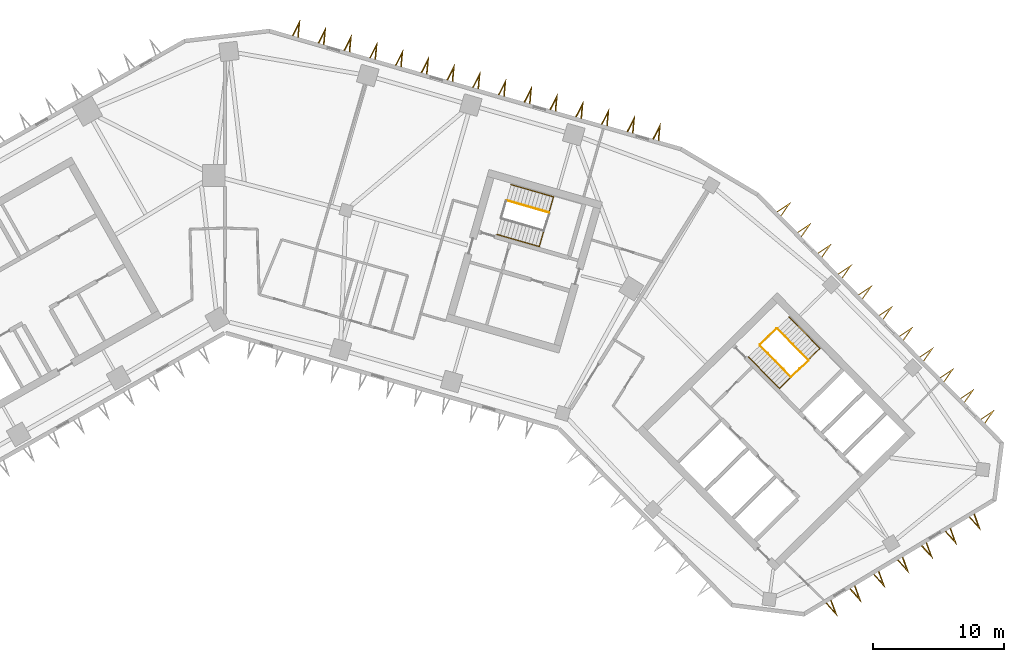
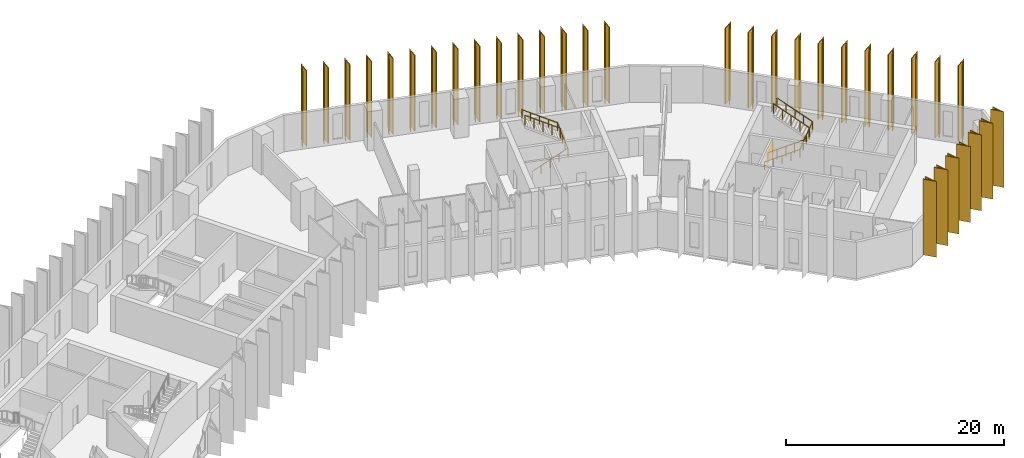
# One storey, part 11 of 11: 33 shading devices, 6 railings.
"""IFC4 building model written with IfcOpenShell, lengths in metres."""

from ifc_helpers import new_model, si_unit, direction, frame, origin, origin_2d, place, context, subcontext, project, spatial, polyline, circle, outline, extrude, material, type_object, element, save


model = new_model("IFC4")

# Units and contexts
model_context = context("Model", 3, precision=1e-05, world=origin(), true_north=direction((0.0, 1.0)))
body_context = subcontext(model_context, "Body", "Model", "MODEL_VIEW")
ifc_project = project(units=[si_unit("LENGTHUNIT", "METRE"), si_unit("AREAUNIT", "SQUARE_METRE"), si_unit("VOLUMEUNIT", "CUBIC_METRE"), si_unit("PLANEANGLEUNIT", "RADIAN"), si_unit("MASSUNIT", "GRAM", prefix="KILO")], contexts=[model_context])

# Site, building, storey
site_placement = place(None, origin())
site = spatial("IfcSite", under=ifc_project, at=site_placement, CompositionType="ELEMENT")
building_placement = place(site_placement, origin())
building = spatial("IfcBuilding", under=site, at=building_placement, Name="Binnacle Exchange Tower", CompositionType="ELEMENT")
storey_placement = place(building_placement, frame((0.0, 0.0, 114.699951171875)))
storey = spatial("IfcBuildingStorey", under=building, at=storey_placement, Name="L23", CompositionType="ELEMENT", Elevation=114.699951171875)

# Railings
ifc_material_1 = material(Name="Steel guard rail", Category="steel")
railing_type_1 = type_object("IfcRailingType", Name="STAIR GUARD 1100", PredefinedType="GUARDRAIL", material=ifc_material_1)
railing_1_placement = place(storey_placement, frame((40.822509765625, 47.046875, 0.169189453125)))
element("IfcRailing", 1, at=railing_1_placement, inside=storey, type_object=railing_type_1, Name="L23 STB1 stair guard 1", PredefinedType="GUARDRAIL", context=body_context, shape_type="SweptSolid", body=[
    extrude(circle(Radius=0.02392578125, at=origin_2d()), frame((0.0, 0.0, 1.076171875), z_axis=(0.599850224077, -0.610421915772, 0.51726665601), x_axis=(0.713256128111, 0.700903485305, 0.0)), (0.0, 0.0, 1.0), 3.926025390625),
    extrude(circle(Radius=0.02392578125, at=origin_2d()), frame((2.35498046875, -2.396484375, 3.10693359375), z_axis=(0.732527851538, 0.680737061369, 0.0), x_axis=(-0.680737061369, 0.732527851538, 0.0)), (0.0, 0.0, 1.0), 1.80078125),
    extrude(circle(Radius=0.02099609375, at=origin_2d()), origin(), (0.0, 0.0, 1.0), 1.052001953125),
    extrude(circle(Radius=0.02099609375, at=origin_2d()), frame((0.5888671875, -0.59912109375, 0.5078125)), (0.0, 0.0, 1.0), 1.052001953125),
    extrude(circle(Radius=0.02099609375, at=origin_2d()), frame((1.177490234375, -1.1982421875, 1.015380859375)), (0.0, 0.0, 1.0), 1.052001953125),
    extrude(circle(Radius=0.02099609375, at=origin_2d()), frame((1.76611328125, -1.79736328125, 1.52294921875)), (0.0, 0.0, 1.0), 1.052001953125),
    extrude(circle(Radius=0.02099609375, at=origin_2d()), frame((2.35498046875, -2.396484375, 2.03076171875)), (0.0, 0.0, 1.0), 1.052001953125),
    extrude(circle(Radius=0.02099609375, at=origin_2d()), frame((3.0146484375, -1.78369140625, 2.03076171875)), (0.0, 0.0, 1.0), 1.052001953125),
    extrude(circle(Radius=0.02099609375, at=origin_2d()), frame((3.674072265625, -1.170654296875, 2.03076171875)), (0.0, 0.0, 1.0), 1.052001953125),
])
railing_2_placement = place(storey_placement, frame((44.4970703125, 45.947021484375, 2.369384765625)))
element("IfcRailing", 2, at=railing_2_placement, inside=storey, type_object=railing_type_1, Name="L23 STB1 stair guard 2", PredefinedType="GUARDRAIL", context=body_context, shape_type="SweptSolid", body=[
    extrude(circle(Radius=0.02392578125, at=origin_2d()), frame((0.0, 0.0, 1.076171875), z_axis=(-0.599850224077, 0.610421915772, 0.51726665601), x_axis=(-0.713256128111, -0.700903485305, 0.0)), (0.0, 0.0, 1.0), 3.926025390625),
    extrude(circle(Radius=0.02099609375, at=origin_2d()), origin(), (0.0, 0.0, 1.0), 1.052001953125),
    extrude(circle(Radius=0.02099609375, at=origin_2d()), frame((-0.5888671875, 0.59912109375, 0.5078125)), (0.0, 0.0, 1.0), 1.052001953125),
    extrude(circle(Radius=0.02099609375, at=origin_2d()), frame((-1.177490234375, 1.1982421875, 1.015380859375)), (0.0, 0.0, 1.0), 1.052001953125),
    extrude(circle(Radius=0.02099609375, at=origin_2d()), frame((-1.76611328125, 1.79736328125, 1.52294921875)), (0.0, 0.0, 1.0), 1.052001953125),
    extrude(circle(Radius=0.02099609375, at=origin_2d()), frame((-2.35498046875, 2.396484375, 2.03076171875)), (0.0, 0.0, 1.0), 1.052001953125),
])
railing_3_placement = place(storey_placement, frame((40.8232421875, 47.117431640625, 0.0)))
element("IfcRailing", 3, at=railing_3_placement, inside=storey, type_object=railing_type_1, Name="L23 STB1 stair guard 3", PredefinedType="GUARDRAIL", context=body_context, shape_type="SweptSolid", body=[
    extrude(circle(Radius=0.02392578125, at=origin_2d()), frame((0.0, 0.0, 1.076171875), z_axis=(0.713218950569, 0.700941316052, 0.0), x_axis=(-0.700941316052, 0.713218950569, 0.0)), (0.0, 0.0, 1.0), 1.75),
    extrude(circle(Radius=0.02099609375, at=origin_2d()), origin(), (0.0, 0.0, 1.0), 1.052001953125),
    extrude(circle(Radius=0.02099609375, at=origin_2d()), frame((0.6240234375, 0.61328125, 0.0)), (0.0, 0.0, 1.0), 1.052001953125),
    extrude(circle(Radius=0.02099609375, at=origin_2d()), frame((1.248046875, 1.2265625, 0.0)), (0.0, 0.0, 1.0), 1.052001953125),
])
railing_4_placement = place(storey_placement, frame((24.716064453125, 57.177978515625, 2.369384765625)))
element("IfcRailing", 4, at=railing_4_placement, inside=storey, type_object=railing_type_1, Name="L23 STD1 stair guard 2", PredefinedType="GUARDRAIL", context=body_context, shape_type="SweptSolid", body=[
    extrude(circle(Radius=0.02392578125, at=origin_2d()), frame((0.0, 0.0, 1.076171875), z_axis=(-0.82266146106, 0.235934506256, 0.517264950721), x_axis=(-0.27568068152, -0.961249271436, 0.0)), (0.0, 0.0, 1.0), 3.926025390625),
    extrude(circle(Radius=0.02099609375, at=origin_2d()), origin(), (0.0, 0.0, 1.0), 1.052001953125),
    extrude(circle(Radius=0.02099609375, at=origin_2d()), frame((-0.807373046875, 0.2314453125, 0.5078125)), (0.0, 0.0, 1.0), 1.052001953125),
    extrude(circle(Radius=0.02099609375, at=origin_2d()), frame((-1.61474609375, 0.463134765625, 1.015380859375)), (0.0, 0.0, 1.0), 1.052001953125),
    extrude(circle(Radius=0.02099609375, at=origin_2d()), frame((-2.42236328125, 0.69482421875, 1.52294921875)), (0.0, 0.0, 1.0), 1.052001953125),
    extrude(circle(Radius=0.02099609375, at=origin_2d()), frame((-3.229736328125, 0.92626953125, 2.03076171875)), (0.0, 0.0, 1.0), 1.052001953125),
])
ifc_material_2 = material(Name="Steel handrail", Category="steel")
railing_type_2 = type_object("IfcRailingType", Name="STAIR HANDRAIL 900", PredefinedType="HANDRAIL", material=ifc_material_2)
railing_5_placement = place(storey_placement, frame((39.930908203125, 46.170654296875, 0.169189453125)))
element("IfcRailing", 5, at=railing_5_placement, inside=storey, type_object=railing_type_2, Name="L23 STB1 stair handrail 1", PredefinedType="HANDRAIL", context=body_context, shape_type="SweptSolid", body=[
    extrude(circle(Radius=0.02392578125, at=origin_2d()), frame((0.0, 0.0, 0.8759765625), z_axis=(0.599890032335, -0.610399145579, 0.51724736073), x_axis=(0.713219803244, 0.700940448441, 0.0)), (0.0, 0.0, 1.0), 3.926025390625),
    extrude(circle(Radius=0.02392578125, at=origin_2d()), frame((2.355224609375, -2.396484375, 2.90673828125), z_axis=(0.712713255438, 0.700374813811, 0.038922174951), x_axis=(-0.700905928746, 0.713253726978, 0.0)), (0.0, 0.0, 1.0), 4.35302734375),
    extrude(circle(Radius=0.02392578125, at=origin_2d()), frame((5.457763671875, 0.65234375, 3.076171875), z_axis=(-0.599827453926, 0.610460928384, 0.517247020709), x_axis=(-0.713291821981, -0.70086716052, 0.0)), (0.0, 0.0, 1.0), 3.926025390625),
    extrude(circle(Radius=0.02099609375, at=origin_2d()), origin(), (0.0, 0.0, 1.0), 0.851806640625),
    extrude(circle(Radius=0.02099609375, at=origin_2d()), frame((0.5888671875, -0.59912109375, 0.5078125)), (0.0, 0.0, 1.0), 0.851806640625),
    extrude(circle(Radius=0.02099609375, at=origin_2d()), frame((1.177734375, -1.1982421875, 1.015380859375)), (0.0, 0.0, 1.0), 0.851806640625),
    extrude(circle(Radius=0.02099609375, at=origin_2d()), frame((1.766357421875, -1.79736328125, 1.52294921875)), (0.0, 0.0, 1.0), 0.851806640625),
    extrude(circle(Radius=0.02099609375, at=origin_2d()), frame((2.355224609375, -2.396484375, 2.03076171875)), (0.0, 0.0, 1.0), 0.851806640625),
    extrude(circle(Radius=0.02099609375, at=origin_2d()), frame((3.130859375, -1.63427734375, 2.0732421875)), (0.0, 0.0, 1.0), 0.851806640625),
    extrude(circle(Radius=0.02099609375, at=origin_2d()), frame((3.906494140625, -0.8720703125, 2.115478515625)), (0.0, 0.0, 1.0), 0.851806640625),
    extrude(circle(Radius=0.02099609375, at=origin_2d()), frame((4.68212890625, -0.10986328125, 2.15771484375)), (0.0, 0.0, 1.0), 0.851806640625),
    extrude(circle(Radius=0.02099609375, at=origin_2d()), frame((5.457763671875, 0.65234375, 2.2001953125)), (0.0, 0.0, 1.0), 0.851806640625),
    extrude(circle(Radius=0.02099609375, at=origin_2d()), frame((4.869140625, 1.25146484375, 2.7080078125)), (0.0, 0.0, 1.0), 0.851806640625),
    extrude(circle(Radius=0.02099609375, at=origin_2d()), frame((4.2802734375, 1.8505859375, 3.215576171875)), (0.0, 0.0, 1.0), 0.851806640625),
    extrude(circle(Radius=0.02099609375, at=origin_2d()), frame((3.69140625, 2.449951171875, 3.72314453125)), (0.0, 0.0, 1.0), 0.851806640625),
    extrude(circle(Radius=0.02099609375, at=origin_2d()), frame((3.102783203125, 3.049072265625, 4.23095703125)), (0.0, 0.0, 1.0), 0.851806640625),
])
railing_6_placement = place(storey_placement, frame((20.7421875, 55.5087890625, 0.169189453125)))
element("IfcRailing", 6, at=railing_6_placement, inside=storey, type_object=railing_type_2, Name="L23 STD1 stair handrail 1", PredefinedType="HANDRAIL", context=body_context, shape_type="SweptSolid", body=[
    extrude(circle(Radius=0.02392578125, at=origin_2d()), frame((0.0, 0.0, 0.8759765625), z_axis=(0.82266146106, -0.235934506256, 0.517264950721), x_axis=(0.27568068152, 0.961249271436, 0.0)), (0.0, 0.0, 1.0), 3.926025390625),
    extrude(circle(Radius=0.02392578125, at=origin_2d()), frame((3.229736328125, -0.92626953125, 2.90673828125), z_axis=(0.275398354663, 0.960374576249, 0.04285346595), x_axis=(-0.961257617982, 0.275651576943, 0.0)), (0.0, 0.0, 1.0), 3.953857421875),
    extrude(circle(Radius=0.02392578125, at=origin_2d()), frame((4.318603515625, 2.870849609375, 3.076171875), z_axis=(-0.822693627572, 0.235863713483, 0.517246076655), x_axis=(-0.275594289407, -0.961274043989, 0.0)), (0.0, 0.0, 1.0), 3.926025390625),
    extrude(circle(Radius=0.02099609375, at=origin_2d()), origin(), (0.0, 0.0, 1.0), 0.851806640625),
    extrude(circle(Radius=0.02099609375, at=origin_2d()), frame((0.807373046875, -0.2314453125, 0.5078125)), (0.0, 0.0, 1.0), 0.851806640625),
    extrude(circle(Radius=0.02099609375, at=origin_2d()), frame((1.61474609375, -0.463134765625, 1.015380859375)), (0.0, 0.0, 1.0), 0.851806640625),
    extrude(circle(Radius=0.02099609375, at=origin_2d()), frame((2.42236328125, -0.69482421875, 1.52294921875)), (0.0, 0.0, 1.0), 0.851806640625),
    extrude(circle(Radius=0.02099609375, at=origin_2d()), frame((3.229736328125, -0.92626953125, 2.03076171875)), (0.0, 0.0, 1.0), 0.851806640625),
    extrude(circle(Radius=0.02099609375, at=origin_2d()), frame((3.501953125, 0.02294921875, 2.0732421875)), (0.0, 0.0, 1.0), 0.851806640625),
    extrude(circle(Radius=0.02099609375, at=origin_2d()), frame((3.774169921875, 0.97216796875, 2.115478515625)), (0.0, 0.0, 1.0), 0.851806640625),
    extrude(circle(Radius=0.02099609375, at=origin_2d()), frame((4.04638671875, 1.921630859375, 2.15771484375)), (0.0, 0.0, 1.0), 0.851806640625),
    extrude(circle(Radius=0.02099609375, at=origin_2d()), frame((4.318603515625, 2.870849609375, 2.2001953125)), (0.0, 0.0, 1.0), 0.851806640625),
    extrude(circle(Radius=0.02099609375, at=origin_2d()), frame((3.51123046875, 3.102294921875, 2.7080078125)), (0.0, 0.0, 1.0), 0.851806640625),
    extrude(circle(Radius=0.02099609375, at=origin_2d()), frame((2.70361328125, 3.333984375, 3.215576171875)), (0.0, 0.0, 1.0), 0.851806640625),
    extrude(circle(Radius=0.02099609375, at=origin_2d()), frame((1.89599609375, 3.5654296875, 3.72314453125)), (0.0, 0.0, 1.0), 0.851806640625),
    extrude(circle(Radius=0.02099609375, at=origin_2d()), frame((1.088623046875, 3.796875, 4.23095703125)), (0.0, 0.0, 1.0), 0.851806640625),
])

# Shading devices
ifc_material_3 = material(Name="Bronze aluminium cladding", Category="aluminium")
shading_device_type = type_object("IfcShadingDeviceType", Name="V FIN 1300 DEEP x 8480 HIGH", PredefinedType="USERDEFINED", material=ifc_material_3)
shading_device_1_placement = place(storey_placement, origin())
element("IfcShadingDevice", 7, at=shading_device_1_placement, inside=storey, type_object=shading_device_type, Name="V fin FN-F01-01 L23", ObjectType="FIN", PredefinedType="USERDEFINED", context=body_context, shape_type="SweptSolid", body=[
    extrude(outline(polyline([(33.107421875, 62.66259765625), (33.225341796875, 63.981201171875), (32.626708984375, 62.800537109375), (32.705078125, 62.778076171875), (33.108642578125, 63.573974609375), (33.029052734375, 62.68505859375), (33.107421875, 62.66259765625)])), origin(), (0.0, 0.0, 1.0), 8.47998046875),
])
shading_device_2_placement = place(storey_placement, origin())
element("IfcShadingDevice", 8, at=shading_device_2_placement, inside=storey, type_object=shading_device_type, Name="V fin FN-F01-02 L23", ObjectType="FIN", PredefinedType="USERDEFINED", context=body_context, shape_type="SweptSolid", body=[
    extrude(outline(polyline([(31.143310546875, 63.225830078125), (31.26123046875, 64.54443359375), (30.66259765625, 63.36376953125), (30.740966796875, 63.34130859375), (31.14453125, 64.13720703125), (31.06494140625, 63.248291015625), (31.143310546875, 63.225830078125)])), origin(), (0.0, 0.0, 1.0), 8.47998046875),
])
shading_device_3_placement = place(storey_placement, origin())
element("IfcShadingDevice", 9, at=shading_device_3_placement, inside=storey, type_object=shading_device_type, Name="V fin FN-F01-03 L23", ObjectType="FIN", PredefinedType="USERDEFINED", context=body_context, shape_type="SweptSolid", body=[
    extrude(outline(polyline([(29.17919921875, 63.7890625), (29.297119140625, 65.107666015625), (28.698486328125, 63.927001953125), (28.77685546875, 63.904541015625), (29.180419921875, 64.700439453125), (29.100830078125, 63.8115234375), (29.17919921875, 63.7890625)])), origin(), (0.0, 0.0, 1.0), 8.47998046875),
])
shading_device_4_placement = place(storey_placement, origin())
element("IfcShadingDevice", 10, at=shading_device_4_placement, inside=storey, type_object=shading_device_type, Name="V fin FN-F01-04 L23", ObjectType="FIN", PredefinedType="USERDEFINED", context=body_context, shape_type="SweptSolid", body=[
    extrude(outline(polyline([(27.215087890625, 64.352294921875), (27.3330078125, 65.6708984375), (26.734619140625, 64.489990234375), (26.812744140625, 64.4677734375), (27.21630859375, 65.263671875), (27.13671875, 64.374755859375), (27.215087890625, 64.352294921875)])), origin(), (0.0, 0.0, 1.0), 8.47998046875),
])
shading_device_5_placement = place(storey_placement, origin())
element("IfcShadingDevice", 11, at=shading_device_5_placement, inside=storey, type_object=shading_device_type, Name="V fin FN-F01-05 L23", ObjectType="FIN", PredefinedType="USERDEFINED", context=body_context, shape_type="SweptSolid", body=[
    extrude(outline(polyline([(25.2509765625, 64.91552734375), (25.368896484375, 66.23388671875), (24.7705078125, 65.05322265625), (24.8486328125, 65.031005859375), (25.252197265625, 65.826904296875), (25.172607421875, 64.93798828125), (25.2509765625, 64.91552734375)])), origin(), (0.0, 0.0, 1.0), 8.47998046875),
])
shading_device_6_placement = place(storey_placement, origin())
element("IfcShadingDevice", 12, at=shading_device_6_placement, inside=storey, type_object=shading_device_type, Name="V fin FN-F01-06 L23", ObjectType="FIN", PredefinedType="USERDEFINED", context=body_context, shape_type="SweptSolid", body=[
    extrude(outline(polyline([(23.287109375, 65.478515625), (23.405029296875, 66.797119140625), (22.806396484375, 65.616455078125), (22.884765625, 65.593994140625), (23.288330078125, 66.389892578125), (23.208740234375, 65.5009765625), (23.287109375, 65.478515625)])), origin(), (0.0, 0.0, 1.0), 8.47998046875),
])
shading_device_7_placement = place(storey_placement, origin())
element("IfcShadingDevice", 13, at=shading_device_7_placement, inside=storey, type_object=shading_device_type, Name="V fin FN-F01-07 L23", ObjectType="FIN", PredefinedType="USERDEFINED", context=body_context, shape_type="SweptSolid", body=[
    extrude(outline(polyline([(21.32275390625, 66.041748046875), (21.44091796875, 67.3603515625), (20.84228515625, 66.1796875), (20.92041015625, 66.1572265625), (21.32421875, 66.953125), (21.244384765625, 66.064208984375), (21.32275390625, 66.041748046875)])), origin(), (0.0, 0.0, 1.0), 8.47998046875),
])
shading_device_8_placement = place(storey_placement, origin())
element("IfcShadingDevice", 14, at=shading_device_8_placement, inside=storey, type_object=shading_device_type, Name="V fin FN-F01-08 L23", ObjectType="FIN", PredefinedType="USERDEFINED", context=body_context, shape_type="SweptSolid", body=[
    extrude(outline(polyline([(19.35888671875, 66.60498046875), (19.476806640625, 67.923583984375), (18.878173828125, 66.742919921875), (18.95654296875, 66.720458984375), (19.360107421875, 67.516357421875), (19.280517578125, 66.62744140625), (19.35888671875, 66.60498046875)])), origin(), (0.0, 0.0, 1.0), 8.47998046875),
])
shading_device_9_placement = place(storey_placement, origin())
element("IfcShadingDevice", 15, at=shading_device_9_placement, inside=storey, type_object=shading_device_type, Name="V fin FN-F01-09 L23", ObjectType="FIN", PredefinedType="USERDEFINED", context=body_context, shape_type="SweptSolid", body=[
    extrude(outline(polyline([(17.394775390625, 67.168212890625), (17.5126953125, 68.48681640625), (16.9140625, 67.305908203125), (16.992431640625, 67.28369140625), (17.39599609375, 68.07958984375), (17.31640625, 67.190673828125), (17.394775390625, 67.168212890625)])), origin(), (0.0, 0.0, 1.0), 8.47998046875),
])
shading_device_10_placement = place(storey_placement, origin())
element("IfcShadingDevice", 16, at=shading_device_10_placement, inside=storey, type_object=shading_device_type, Name="V fin FN-F01-10 L23", ObjectType="FIN", PredefinedType="USERDEFINED", context=body_context, shape_type="SweptSolid", body=[
    extrude(outline(polyline([(15.4306640625, 67.7314453125), (15.548583984375, 69.0498046875), (14.949951171875, 67.869140625), (15.0283203125, 67.8466796875), (15.431884765625, 68.642578125), (15.352294921875, 67.75390625), (15.4306640625, 67.7314453125)])), origin(), (0.0, 0.0, 1.0), 8.47998046875),
])
shading_device_11_placement = place(storey_placement, origin())
element("IfcShadingDevice", 17, at=shading_device_11_placement, inside=storey, type_object=shading_device_type, Name="V fin FN-F01-11 L23", ObjectType="FIN", PredefinedType="USERDEFINED", context=body_context, shape_type="SweptSolid", body=[
    extrude(outline(polyline([(13.466552734375, 68.294677734375), (13.58447265625, 69.613037109375), (12.98583984375, 68.432373046875), (13.064208984375, 68.409912109375), (13.4677734375, 69.205810546875), (13.38818359375, 68.31689453125), (13.466552734375, 68.294677734375)])), origin(), (0.0, 0.0, 1.0), 8.47998046875),
])
shading_device_12_placement = place(storey_placement, origin())
element("IfcShadingDevice", 18, at=shading_device_12_placement, inside=storey, type_object=shading_device_type, Name="V fin FN-F01-12 L23", ObjectType="FIN", PredefinedType="USERDEFINED", context=body_context, shape_type="SweptSolid", body=[
    extrude(outline(polyline([(11.50244140625, 68.85791015625), (11.620361328125, 70.17626953125), (11.021728515625, 68.99560546875), (11.10009765625, 68.97314453125), (11.503662109375, 69.76904296875), (11.424072265625, 68.880126953125), (11.50244140625, 68.85791015625)])), origin(), (0.0, 0.0, 1.0), 8.47998046875),
])
shading_device_13_placement = place(storey_placement, origin())
element("IfcShadingDevice", 19, at=shading_device_13_placement, inside=storey, type_object=shading_device_type, Name="V fin FN-F01-13 L23", ObjectType="FIN", PredefinedType="USERDEFINED", context=body_context, shape_type="SweptSolid", body=[
    extrude(outline(polyline([(9.538330078125, 69.4208984375), (9.65625, 70.739501953125), (9.0576171875, 69.558837890625), (9.135986328125, 69.536376953125), (9.53955078125, 70.332275390625), (9.4599609375, 69.443359375), (9.538330078125, 69.4208984375)])), origin(), (0.0, 0.0, 1.0), 8.47998046875),
])
shading_device_14_placement = place(storey_placement, origin())
element("IfcShadingDevice", 20, at=shading_device_14_placement, inside=storey, type_object=shading_device_type, Name="V fin FN-F01-14 L23", ObjectType="FIN", PredefinedType="USERDEFINED", context=body_context, shape_type="SweptSolid", body=[
    extrude(outline(polyline([(7.57421875, 69.984130859375), (7.6923828125, 71.302734375), (7.09375, 70.1220703125), (7.172119140625, 70.099609375), (7.57568359375, 70.8955078125), (7.49609375, 70.006591796875), (7.57421875, 69.984130859375)])), origin(), (0.0, 0.0, 1.0), 8.47998046875),
])
shading_device_15_placement = place(storey_placement, origin())
element("IfcShadingDevice", 21, at=shading_device_15_placement, inside=storey, type_object=shading_device_type, Name="V fin FN-F01-15 L23", ObjectType="FIN", PredefinedType="USERDEFINED", context=body_context, shape_type="SweptSolid", body=[
    extrude(outline(polyline([(5.610107421875, 70.54736328125), (5.72802734375, 71.865966796875), (5.12939453125, 70.685302734375), (5.207763671875, 70.662841796875), (5.611328125, 71.458740234375), (5.53173828125, 70.56982421875), (5.610107421875, 70.54736328125)])), origin(), (0.0, 0.0, 1.0), 8.47998046875),
])
shading_device_16_placement = place(storey_placement, origin())
element("IfcShadingDevice", 22, at=shading_device_16_placement, inside=storey, type_object=shading_device_type, Name="V fin FN-F11-01 L23", ObjectType="FIN", PredefinedType="USERDEFINED", context=body_context, shape_type="SweptSolid", body=[
    extrude(outline(polyline([(45.82861328125, 27.361572265625), (46.71240234375, 26.376220703125), (46.257080078125, 27.619140625), (46.187255859375, 27.5771484375), (46.494140625, 26.7392578125), (45.898193359375, 27.403564453125), (45.82861328125, 27.361572265625)])), origin(), (0.0, 0.0, 1.0), 8.47998046875),
])
shading_device_17_placement = place(storey_placement, origin())
element("IfcShadingDevice", 23, at=shading_device_17_placement, inside=storey, type_object=shading_device_type, Name="V fin FN-F11-02 L23", ObjectType="FIN", PredefinedType="USERDEFINED", context=body_context, shape_type="SweptSolid", body=[
    extrude(outline(polyline([(47.64990234375, 28.4560546875), (48.53369140625, 27.470458984375), (48.07861328125, 28.713623046875), (48.0087890625, 28.671630859375), (48.315673828125, 27.83349609375), (47.7197265625, 28.498046875), (47.64990234375, 28.4560546875)])), origin(), (0.0, 0.0, 1.0), 8.47998046875),
])
shading_device_18_placement = place(storey_placement, origin())
element("IfcShadingDevice", 24, at=shading_device_18_placement, inside=storey, type_object=shading_device_type, Name="V fin FN-F11-03 L23", ObjectType="FIN", PredefinedType="USERDEFINED", context=body_context, shape_type="SweptSolid", body=[
    extrude(outline(polyline([(49.471435546875, 29.550537109375), (50.355224609375, 28.56494140625), (49.900146484375, 29.80810546875), (49.830322265625, 29.76611328125), (50.13720703125, 28.927978515625), (49.541259765625, 29.592529296875), (49.471435546875, 29.550537109375)])), origin(), (0.0, 0.0, 1.0), 8.47998046875),
])
shading_device_19_placement = place(storey_placement, origin())
element("IfcShadingDevice", 25, at=shading_device_19_placement, inside=storey, type_object=shading_device_type, Name="V fin FN-F11-04 L23", ObjectType="FIN", PredefinedType="USERDEFINED", context=body_context, shape_type="SweptSolid", body=[
    extrude(outline(polyline([(51.29296875, 30.64501953125), (52.1767578125, 29.659423828125), (51.7216796875, 30.902587890625), (51.65185546875, 30.860595703125), (51.958740234375, 30.0224609375), (51.36279296875, 30.68701171875), (51.29296875, 30.64501953125)])), origin(), (0.0, 0.0, 1.0), 8.47998046875),
])
shading_device_20_placement = place(storey_placement, origin())
element("IfcShadingDevice", 26, at=shading_device_20_placement, inside=storey, type_object=shading_device_type, Name="V fin FN-F11-05 L23", ObjectType="FIN", PredefinedType="USERDEFINED", context=body_context, shape_type="SweptSolid", body=[
    extrude(outline(polyline([(53.114501953125, 31.739501953125), (53.998291015625, 30.75390625), (53.543212890625, 31.9970703125), (53.473388671875, 31.955078125), (53.7802734375, 31.116943359375), (53.184326171875, 31.781494140625), (53.114501953125, 31.739501953125)])), origin(), (0.0, 0.0, 1.0), 8.47998046875),
])
shading_device_21_placement = place(storey_placement, origin())
element("IfcShadingDevice", 27, at=shading_device_21_placement, inside=storey, type_object=shading_device_type, Name="V fin FN-F11-06 L23", ObjectType="FIN", PredefinedType="USERDEFINED", context=body_context, shape_type="SweptSolid", body=[
    extrude(outline(polyline([(54.935791015625, 32.833984375), (55.819580078125, 31.848388671875), (55.364501953125, 33.091552734375), (55.294677734375, 33.049560546875), (55.6015625, 32.21142578125), (55.005615234375, 32.8759765625), (54.935791015625, 32.833984375)])), origin(), (0.0, 0.0, 1.0), 8.47998046875),
])
shading_device_22_placement = place(storey_placement, origin())
element("IfcShadingDevice", 28, at=shading_device_22_placement, inside=storey, type_object=shading_device_type, Name="V fin FN-F11-07 L23", ObjectType="FIN", PredefinedType="USERDEFINED", context=body_context, shape_type="SweptSolid", body=[
    extrude(outline(polyline([(56.75732421875, 33.92822265625), (57.64111328125, 32.94287109375), (57.18603515625, 34.185791015625), (57.1162109375, 34.143798828125), (57.423095703125, 33.305908203125), (56.8271484375, 33.97021484375), (56.75732421875, 33.92822265625)])), origin(), (0.0, 0.0, 1.0), 8.47998046875),
])
shading_device_23_placement = place(storey_placement, origin())
element("IfcShadingDevice", 29, at=shading_device_23_placement, inside=storey, type_object=shading_device_type, Name="V fin FN-F13-01 L23", ObjectType="FIN", PredefinedType="USERDEFINED", context=body_context, shape_type="SweptSolid", body=[
    extrude(outline(polyline([(57.990478515625, 41.087890625), (58.742431640625, 42.177490234375), (57.64013671875, 41.444580078125), (57.697265625, 41.386474609375), (58.4404296875, 41.880615234375), (57.933349609375, 41.14599609375), (57.990478515625, 41.087890625)])), origin(), (0.0, 0.0, 1.0), 8.47998046875),
])
shading_device_24_placement = place(storey_placement, origin())
element("IfcShadingDevice", 30, at=shading_device_24_placement, inside=storey, type_object=shading_device_type, Name="V fin FN-F13-02 L23", ObjectType="FIN", PredefinedType="USERDEFINED", context=body_context, shape_type="SweptSolid", body=[
    extrude(outline(polyline([(56.435791015625, 42.669921875), (57.18798828125, 43.759521484375), (56.08544921875, 43.026611328125), (56.142578125, 42.968505859375), (56.8857421875, 43.46240234375), (56.37890625, 42.72802734375), (56.435791015625, 42.669921875)])), origin(), (0.0, 0.0, 1.0), 8.47998046875),
])
shading_device_25_placement = place(storey_placement, origin())
element("IfcShadingDevice", 31, at=shading_device_25_placement, inside=storey, type_object=shading_device_type, Name="V fin FN-F13-03 L23", ObjectType="FIN", PredefinedType="USERDEFINED", context=body_context, shape_type="SweptSolid", body=[
    extrude(outline(polyline([(54.881103515625, 44.251953125), (55.63330078125, 45.34130859375), (54.53076171875, 44.6083984375), (54.587890625, 44.55029296875), (55.3310546875, 45.04443359375), (54.82421875, 44.31005859375), (54.881103515625, 44.251953125)])), origin(), (0.0, 0.0, 1.0), 8.47998046875),
])
shading_device_26_placement = place(storey_placement, origin())
element("IfcShadingDevice", 32, at=shading_device_26_placement, inside=storey, type_object=shading_device_type, Name="V fin FN-F13-04 L23", ObjectType="FIN", PredefinedType="USERDEFINED", context=body_context, shape_type="SweptSolid", body=[
    extrude(outline(polyline([(53.32666015625, 45.833984375), (54.07861328125, 46.92333984375), (52.976318359375, 46.1904296875), (53.033203125, 46.13232421875), (53.776611328125, 46.62646484375), (53.26953125, 45.89208984375), (53.32666015625, 45.833984375)])), origin(), (0.0, 0.0, 1.0), 8.47998046875),
])
shading_device_27_placement = place(storey_placement, origin())
element("IfcShadingDevice", 33, at=shading_device_27_placement, inside=storey, type_object=shading_device_type, Name="V fin FN-F13-05 L23", ObjectType="FIN", PredefinedType="USERDEFINED", context=body_context, shape_type="SweptSolid", body=[
    extrude(outline(polyline([(51.77197265625, 47.416015625), (52.52392578125, 48.50537109375), (51.421630859375, 47.7724609375), (51.478759765625, 47.71435546875), (52.221923828125, 48.20849609375), (51.71484375, 47.47412109375), (51.77197265625, 47.416015625)])), origin(), (0.0, 0.0, 1.0), 8.47998046875),
])
shading_device_28_placement = place(storey_placement, origin())
element("IfcShadingDevice", 34, at=shading_device_28_placement, inside=storey, type_object=shading_device_type, Name="V fin FN-F13-06 L23", ObjectType="FIN", PredefinedType="USERDEFINED", context=body_context, shape_type="SweptSolid", body=[
    extrude(outline(polyline([(50.21728515625, 48.997802734375), (50.969482421875, 50.08740234375), (49.866943359375, 49.3544921875), (49.924072265625, 49.29638671875), (50.667236328125, 49.79052734375), (50.160400390625, 49.055908203125), (50.21728515625, 48.997802734375)])), origin(), (0.0, 0.0, 1.0), 8.47998046875),
])
shading_device_29_placement = place(storey_placement, origin())
element("IfcShadingDevice", 35, at=shading_device_29_placement, inside=storey, type_object=shading_device_type, Name="V fin FN-F13-07 L23", ObjectType="FIN", PredefinedType="USERDEFINED", context=body_context, shape_type="SweptSolid", body=[
    extrude(outline(polyline([(48.66259765625, 50.579833984375), (49.414794921875, 51.66943359375), (48.312255859375, 50.9365234375), (48.369384765625, 50.87841796875), (49.112548828125, 51.37255859375), (48.605712890625, 50.637939453125), (48.66259765625, 50.579833984375)])), origin(), (0.0, 0.0, 1.0), 8.47998046875),
])
shading_device_30_placement = place(storey_placement, origin())
element("IfcShadingDevice", 36, at=shading_device_30_placement, inside=storey, type_object=shading_device_type, Name="V fin FN-F13-08 L23", ObjectType="FIN", PredefinedType="USERDEFINED", context=body_context, shape_type="SweptSolid", body=[
    extrude(outline(polyline([(47.108154296875, 52.161865234375), (47.860107421875, 53.25146484375), (46.7578125, 52.5185546875), (46.814697265625, 52.46044921875), (47.55810546875, 52.95458984375), (47.051025390625, 52.219970703125), (47.108154296875, 52.161865234375)])), origin(), (0.0, 0.0, 1.0), 8.47998046875),
])
shading_device_31_placement = place(storey_placement, origin())
element("IfcShadingDevice", 37, at=shading_device_31_placement, inside=storey, type_object=shading_device_type, Name="V fin FN-F13-09 L23", ObjectType="FIN", PredefinedType="USERDEFINED", context=body_context, shape_type="SweptSolid", body=[
    extrude(outline(polyline([(45.553466796875, 53.743896484375), (46.305419921875, 54.83349609375), (45.203125, 54.1005859375), (45.26025390625, 54.04248046875), (46.00341796875, 54.53662109375), (45.496337890625, 53.802001953125), (45.553466796875, 53.743896484375)])), origin(), (0.0, 0.0, 1.0), 8.47998046875),
])
shading_device_32_placement = place(storey_placement, origin())
element("IfcShadingDevice", 38, at=shading_device_32_placement, inside=storey, type_object=shading_device_type, Name="V fin FN-F13-10 L23", ObjectType="FIN", PredefinedType="USERDEFINED", context=body_context, shape_type="SweptSolid", body=[
    extrude(outline(polyline([(43.998779296875, 55.325927734375), (44.7509765625, 56.415283203125), (43.6484375, 55.6826171875), (43.70556640625, 55.62451171875), (44.44873046875, 56.118408203125), (43.94189453125, 55.384033203125), (43.998779296875, 55.325927734375)])), origin(), (0.0, 0.0, 1.0), 8.47998046875),
])
shading_device_33_placement = place(storey_placement, origin())
element("IfcShadingDevice", 39, at=shading_device_33_placement, inside=storey, type_object=shading_device_type, Name="V fin FN-F13-11 L23", ObjectType="FIN", PredefinedType="USERDEFINED", context=body_context, shape_type="SweptSolid", body=[
    extrude(outline(polyline([(42.444091796875, 56.907958984375), (43.1962890625, 57.997314453125), (42.09375, 57.264404296875), (42.15087890625, 57.206298828125), (42.89404296875, 57.700439453125), (42.38720703125, 56.966064453125), (42.444091796875, 56.907958984375)])), origin(), (0.0, 0.0, 1.0), 8.47998046875),
])

save(model, "model.ifc")
